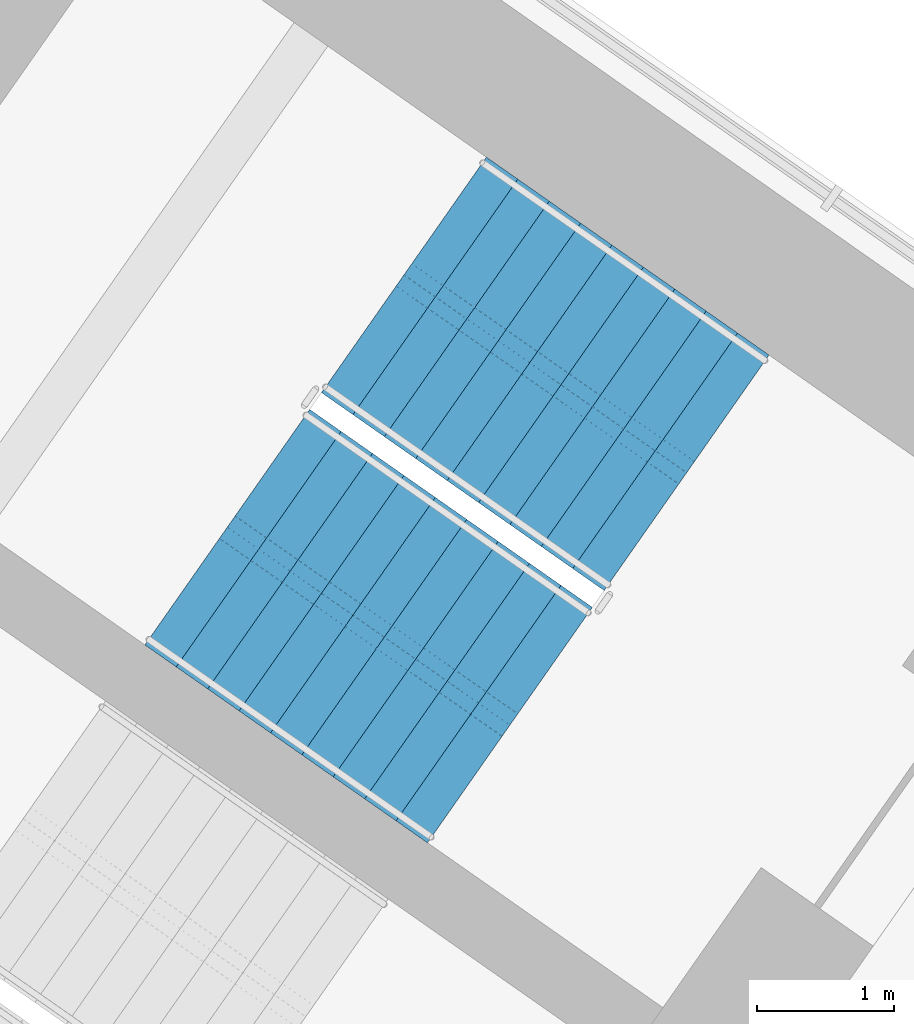
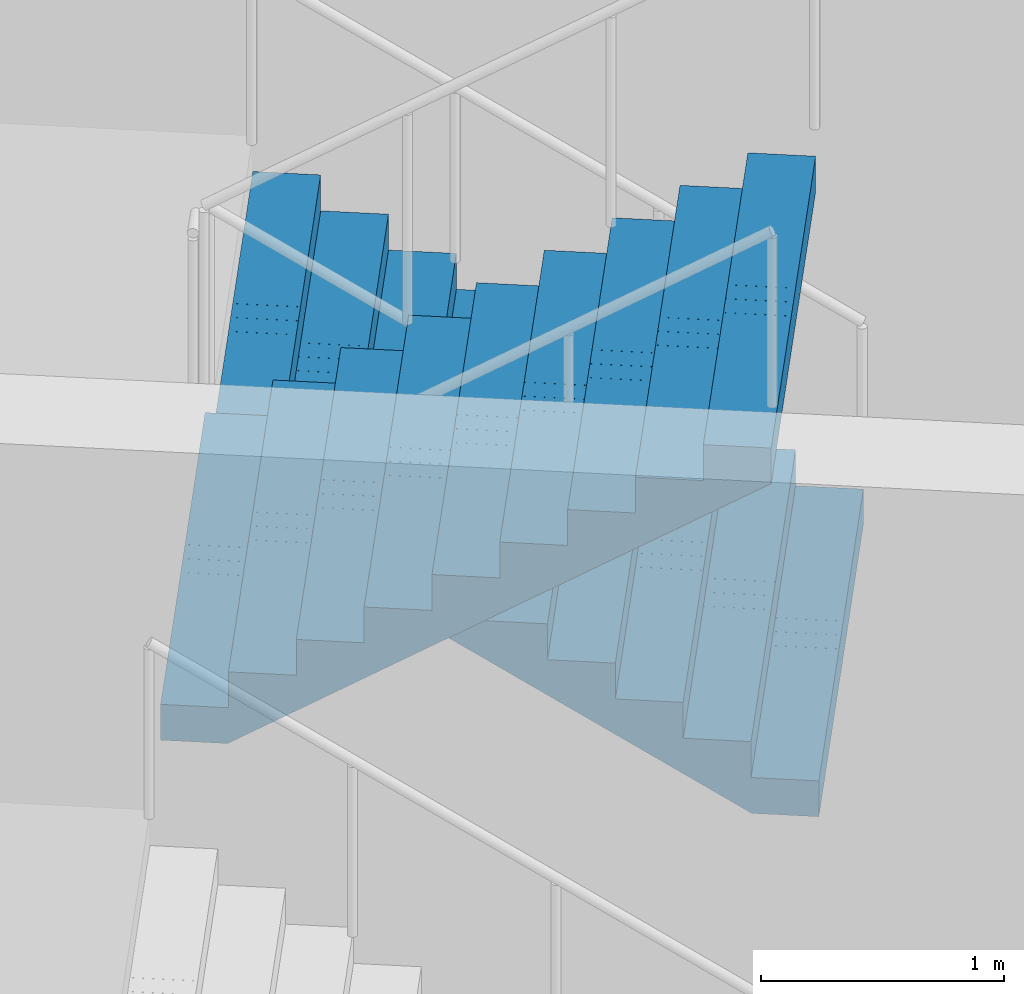
# One storey, part 17 of 23: 2 stair flights, 1 element without a shape of its own.
"""IFC4 building model written with IfcOpenShell, lengths in metres."""

from ifc_helpers import new_model, si_unit, direction, frame, origin, place, context, subcontext, project, spatial, polyline, outline, extrude, material, type_object, element, aggregate, save


model = new_model("IFC4")

# Units and contexts
model_context = context("Model", 3, precision=1e-05, world=origin(), true_north=direction((0.0, 1.0)))
body_context = subcontext(model_context, "Body", "Model", "MODEL_VIEW")
ifc_project = project(units=[si_unit("LENGTHUNIT", "METRE"), si_unit("AREAUNIT", "SQUARE_METRE"), si_unit("VOLUMEUNIT", "CUBIC_METRE"), si_unit("PLANEANGLEUNIT", "RADIAN"), si_unit("MASSUNIT", "GRAM", prefix="KILO")], contexts=[model_context])

# Site, building, storey
site_placement = place(None, origin())
site = spatial("IfcSite", under=ifc_project, at=site_placement, CompositionType="ELEMENT")
building_placement = place(site_placement, origin())
building = spatial("IfcBuilding", under=site, at=building_placement, Name="Tel Ilan Convention Tower", CompositionType="ELEMENT")
storey_placement = place(building_placement, frame((0.0, 0.0, 104.89990234375)))
storey = spatial("IfcBuildingStorey", under=building, at=storey_placement, Name="L22", CompositionType="ELEMENT", Elevation=104.89990234375)

# Stair, stair flights
ifc_material_1 = material(Name="Concrete C40/50", Category="concrete")
stair_type = type_object("IfcStairType", Name="Pressurised Exit Stair 20 risers 180 mm", PredefinedType="HALF_TURN_STAIR", material=ifc_material_1)
stair_placement = place(storey_placement, origin())
stair = element("IfcStair", 1, at=stair_placement, inside=storey, type_object=stair_type, Name="L22 Pressurised Stair S3", PredefinedType="HALF_TURN_STAIR")
ifc_material_2 = material(Name="Precast Concrete C40/50", Category="concrete")
stair_flight_type = type_object("IfcStairFlightType", Name="Concrete Stair Flight 2100 mm 20 risers 180 mm", PredefinedType="STRAIGHT", material=ifc_material_2)
stair_flight_1_placement = place(storey_placement, frame((24.25244140625, -7.032470703125, 0.0), z_axis=(0.0, 0.0, 1.0), x_axis=(-0.819152044289, 0.573576436351, 0.0)))
stair_flight_1 = element("IfcStairFlight", 2, at=stair_flight_1_placement, type_object=stair_flight_type, Name="S3 flight 1", NumberOfRisers=10, NumberOfTreads=9, PredefinedType="STRAIGHT", RiserHeight=0.18, TreadLength=0.28, context=body_context, shape_type="SweptSolid", body=[
    extrude(outline(polyline([(0.0, 0.0), (0.0, 0.179931640625), (0.280029296875, 0.179931640625), (0.280029296875, 0.360107421875), (0.56005859375, 0.360107421875), (0.56005859375, 0.5400390625), (0.840087890625, 0.5400390625), (0.840087890625, 0.719970703125), (1.1201171875, 0.719970703125), (1.1201171875, 0.89990234375), (1.39990234375, 0.89990234375), (1.39990234375, 1.080078125), (1.679931640625, 1.080078125), (1.679931640625, 1.260009765625), (1.9599609375, 1.260009765625), (1.9599609375, 1.43994140625), (2.239990234375, 1.43994140625), (2.239990234375, 1.6201171875), (2.52001953125, 1.6201171875), (2.52001953125, 1.800048828125), (2.52001953125, 1.44189453125), (0.277099609375, 0.0), (0.0, 0.0)])), frame((0.0, -0.100341796875, 0.0), z_axis=(0.0, -1.0, 0.0), x_axis=(1.0, 0.0, 0.0)), (0.0, 0.0, 1.0), 0.94970703125),
    extrude(outline(polyline([(0.0, 0.0), (0.0, 0.179931640625), (0.280029296875, 0.179931640625), (0.280029296875, 0.360107421875), (0.56005859375, 0.360107421875), (0.56005859375, 0.5400390625), (0.840087890625, 0.5400390625), (0.840087890625, 0.719970703125), (1.1201171875, 0.719970703125), (1.1201171875, 0.89990234375), (1.39990234375, 0.89990234375), (1.39990234375, 1.080078125), (1.679931640625, 1.080078125), (1.679931640625, 1.260009765625), (1.9599609375, 1.260009765625), (1.9599609375, 1.43994140625), (2.239990234375, 1.43994140625), (2.239990234375, 1.6201171875), (2.52001953125, 1.6201171875), (2.52001953125, 1.800048828125), (2.52001953125, 1.44189453125), (0.277099609375, 0.0), (0.0, 0.0)])), frame((0.0, -0.000244140625, 0.0), z_axis=(0.0, -1.0, 0.0), x_axis=(1.0, 0.0, 0.0)), (0.0, 0.0, 1.0), 0.099609375),
    extrude(outline(polyline([(0.0, 0.0), (0.0, 0.179931640625), (0.280029296875, 0.179931640625), (0.280029296875, 0.360107421875), (0.56005859375, 0.360107421875), (0.56005859375, 0.5400390625), (0.840087890625, 0.5400390625), (0.840087890625, 0.719970703125), (1.1201171875, 0.719970703125), (1.1201171875, 0.89990234375), (1.39990234375, 0.89990234375), (1.39990234375, 1.080078125), (1.679931640625, 1.080078125), (1.679931640625, 1.260009765625), (1.9599609375, 1.260009765625), (1.9599609375, 1.43994140625), (2.239990234375, 1.43994140625), (2.239990234375, 1.6201171875), (2.52001953125, 1.6201171875), (2.52001953125, 1.800048828125), (2.52001953125, 1.44189453125), (0.277099609375, 0.0), (0.0, 0.0)])), frame((0.0, 0.099853515625, 0.0), z_axis=(0.0, -1.0, 0.0), x_axis=(1.0, 0.0, 0.0)), (0.0, 0.0, 1.0), 0.099609375),
    extrude(outline(polyline([(0.0, 0.0), (0.0, 0.179931640625), (0.280029296875, 0.179931640625), (0.280029296875, 0.360107421875), (0.56005859375, 0.360107421875), (0.56005859375, 0.5400390625), (0.840087890625, 0.5400390625), (0.840087890625, 0.719970703125), (1.1201171875, 0.719970703125), (1.1201171875, 0.89990234375), (1.39990234375, 0.89990234375), (1.39990234375, 1.080078125), (1.679931640625, 1.080078125), (1.679931640625, 1.260009765625), (1.9599609375, 1.260009765625), (1.9599609375, 1.43994140625), (2.239990234375, 1.43994140625), (2.239990234375, 1.6201171875), (2.52001953125, 1.6201171875), (2.52001953125, 1.800048828125), (2.52001953125, 1.44189453125), (0.277099609375, 0.0), (0.0, 0.0)])), frame((0.0, 1.050048828125, 0.0), z_axis=(0.0, -1.0, 0.0), x_axis=(1.0, 0.0, 0.0)), (0.0, 0.0, 1.0), 0.94970703125),
])
stair_flight_2_placement = place(storey_placement, frame((20.8974609375, -7.43017578125, 1.800048828125), z_axis=(0.0, 0.0, 1.0), x_axis=(0.819152044289, -0.573576436351, 0.0)))
stair_flight_2 = element("IfcStairFlight", 3, at=stair_flight_2_placement, type_object=stair_flight_type, Name="S3 flight 2", NumberOfRisers=10, NumberOfTreads=9, PredefinedType="STRAIGHT", RiserHeight=0.18, TreadLength=0.28, context=body_context, shape_type="SweptSolid", body=[
    extrude(outline(polyline([(0.0, 0.0), (0.0, 0.179931640625), (0.280029296875, 0.179931640625), (0.280029296875, 0.360107421875), (0.56005859375, 0.360107421875), (0.56005859375, 0.5400390625), (0.840087890625, 0.5400390625), (0.840087890625, 0.719970703125), (1.1201171875, 0.719970703125), (1.1201171875, 0.89990234375), (1.39990234375, 0.89990234375), (1.39990234375, 1.080078125), (1.679931640625, 1.080078125), (1.679931640625, 1.260009765625), (1.9599609375, 1.260009765625), (1.9599609375, 1.43994140625), (2.239990234375, 1.43994140625), (2.239990234375, 1.6201171875), (2.52001953125, 1.6201171875), (2.52001953125, 1.800048828125), (2.52001953125, 1.44189453125), (0.277099609375, 0.0), (0.0, 0.0)])), frame((0.0, -0.100341796875, 0.0), z_axis=(0.0, -1.0, 0.0), x_axis=(1.0, 0.0, 0.0)), (0.0, 0.0, 1.0), 0.94970703125),
    extrude(outline(polyline([(0.0, 0.0), (0.0, 0.179931640625), (0.280029296875, 0.179931640625), (0.280029296875, 0.360107421875), (0.56005859375, 0.360107421875), (0.56005859375, 0.5400390625), (0.840087890625, 0.5400390625), (0.840087890625, 0.719970703125), (1.1201171875, 0.719970703125), (1.1201171875, 0.89990234375), (1.39990234375, 0.89990234375), (1.39990234375, 1.080078125), (1.679931640625, 1.080078125), (1.679931640625, 1.260009765625), (1.9599609375, 1.260009765625), (1.9599609375, 1.43994140625), (2.239990234375, 1.43994140625), (2.239990234375, 1.6201171875), (2.52001953125, 1.6201171875), (2.52001953125, 1.800048828125), (2.52001953125, 1.44189453125), (0.277099609375, 0.0), (0.0, 0.0)])), frame((0.0, -0.000244140625, 0.0), z_axis=(0.0, -1.0, 0.0), x_axis=(1.0, 0.0, 0.0)), (0.0, 0.0, 1.0), 0.099609375),
    extrude(outline(polyline([(0.0, 0.0), (0.0, 0.179931640625), (0.280029296875, 0.179931640625), (0.280029296875, 0.360107421875), (0.56005859375, 0.360107421875), (0.56005859375, 0.5400390625), (0.840087890625, 0.5400390625), (0.840087890625, 0.719970703125), (1.1201171875, 0.719970703125), (1.1201171875, 0.89990234375), (1.39990234375, 0.89990234375), (1.39990234375, 1.080078125), (1.679931640625, 1.080078125), (1.679931640625, 1.260009765625), (1.9599609375, 1.260009765625), (1.9599609375, 1.43994140625), (2.239990234375, 1.43994140625), (2.239990234375, 1.6201171875), (2.52001953125, 1.6201171875), (2.52001953125, 1.800048828125), (2.52001953125, 1.44189453125), (0.277099609375, 0.0), (0.0, 0.0)])), frame((0.0, 0.099853515625, 0.0), z_axis=(0.0, -1.0, 0.0), x_axis=(1.0, 0.0, 0.0)), (0.0, 0.0, 1.0), 0.099609375),
    extrude(outline(polyline([(0.0, 0.0), (0.0, 0.179931640625), (0.280029296875, 0.179931640625), (0.280029296875, 0.360107421875), (0.56005859375, 0.360107421875), (0.56005859375, 0.5400390625), (0.840087890625, 0.5400390625), (0.840087890625, 0.719970703125), (1.1201171875, 0.719970703125), (1.1201171875, 0.89990234375), (1.39990234375, 0.89990234375), (1.39990234375, 1.080078125), (1.679931640625, 1.080078125), (1.679931640625, 1.260009765625), (1.9599609375, 1.260009765625), (1.9599609375, 1.43994140625), (2.239990234375, 1.43994140625), (2.239990234375, 1.6201171875), (2.52001953125, 1.6201171875), (2.52001953125, 1.800048828125), (2.52001953125, 1.44189453125), (0.277099609375, 0.0), (0.0, 0.0)])), frame((0.0, 1.050048828125, 0.0), z_axis=(0.0, -1.0, 0.0), x_axis=(1.0, 0.0, 0.0)), (0.0, 0.0, 1.0), 0.94970703125),
])
aggregate(stair, [stair_flight_1, stair_flight_2])

save(model, "model.ifc")
